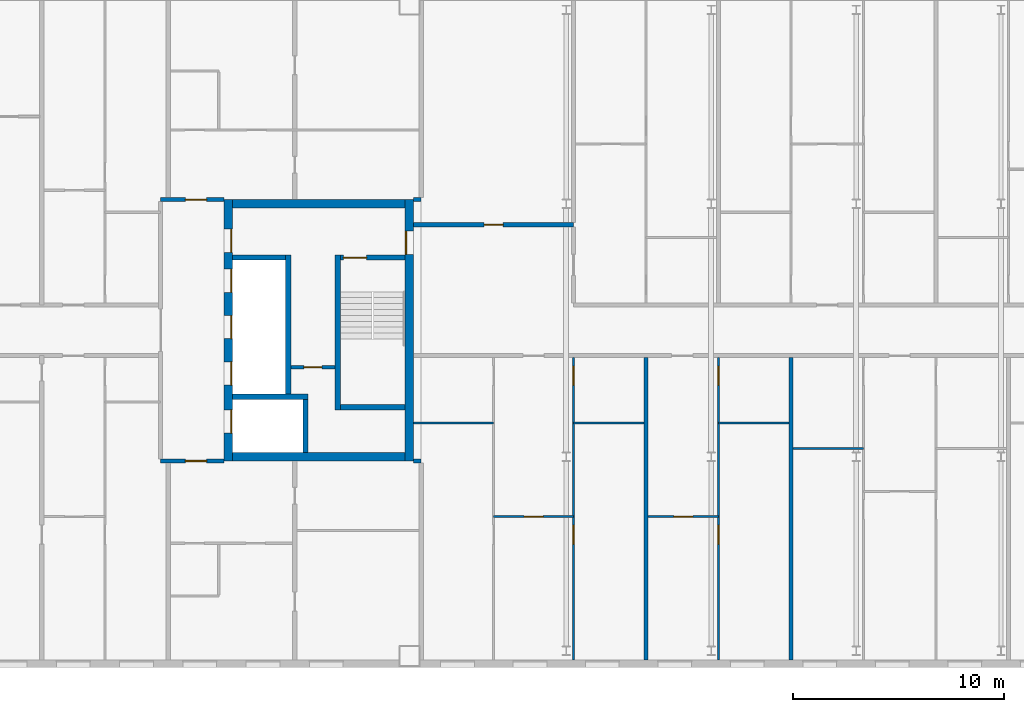
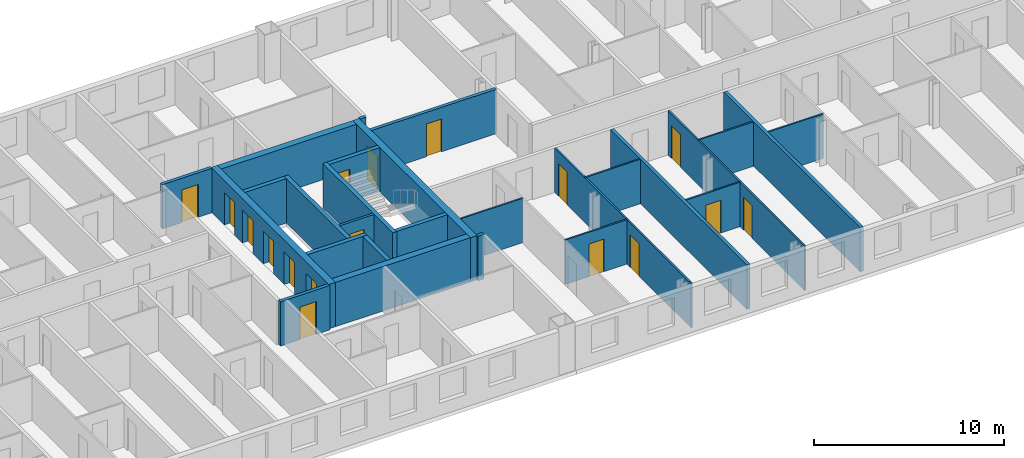
# One storey, part 8 of 19: 27 walls, 17 doors, 17 openings.
"""IFC4 building model written with IfcOpenShell, lengths in metres."""

from ifc_helpers import new_model, si_unit, direction, frame, frame_2d, origin, place, context, subcontext, project, spatial, rectangle, extrude, material, layer, layer_set, type_object, element, fill, save


model = new_model("IFC4")

# Units and contexts
model_context = context("Model", 3, precision=1e-05, world=origin(), true_north=direction((0.0, 1.0)))
body_context = subcontext(model_context, "Body", "Model", "MODEL_VIEW")
ifc_project = project(units=[si_unit("LENGTHUNIT", "METRE"), si_unit("AREAUNIT", "SQUARE_METRE"), si_unit("VOLUMEUNIT", "CUBIC_METRE"), si_unit("PLANEANGLEUNIT", "RADIAN"), si_unit("MASSUNIT", "GRAM", prefix="KILO")], contexts=[model_context])

# Site, building, storey
site_placement = place(None, origin())
site = spatial("IfcSite", under=ifc_project, at=site_placement, CompositionType="ELEMENT")
building_placement = place(site_placement, origin())
building = spatial("IfcBuilding", under=site, at=building_placement, Name="Tuart Gate Housing", CompositionType="ELEMENT")
storey_placement = place(building_placement, frame((0.0, 0.0, 233.800048828125)))
storey = spatial("IfcBuildingStorey", under=building, at=storey_placement, Name="L66", CompositionType="ELEMENT", Elevation=233.800048828125)

# Wall, opening, door
ifc_material_1 = material(Name="Plasterboard partition")
ifc_layer_1 = layer(ifc_material_1, 0.14990234375)
ifc_layer_set_1 = layer_set([ifc_layer_1], Name="Core partition 150")
wall_type_1 = type_object("IfcWallType", Name="Core partition 150", PredefinedType="PARTITIONING", material=ifc_layer_set_1)
wall_1_placement = place(storey_placement, frame((69.81494140625, 68.25, 0.0), z_axis=(0.0, 0.0, 1.0), x_axis=(1.0, 0.0, 0.0)))
wall_1 = element("IfcWall", 1, at=wall_1_placement, inside=storey, type_object=wall_type_1, Name="Core partition AG.3", PredefinedType="PARTITIONING", context=body_context, shape_type="SweptSolid", body=[
    extrude(rectangle(XDim=2.10009765625, YDim=0.14990234375, at=frame_2d((1.050048828125, 0.0))), origin(), (0.0, 0.0, 1.0), 2.849853515625),
])
opening_1_placement = place(wall_1_placement, frame((0.625, 0.0, 0.0)))
opening_1 = element("IfcOpeningElement", 2, at=opening_1_placement, cuts=wall_1, Name="Opening D2477", PredefinedType="OPENING", context=body_context, shape_type="SweptSolid", body=[
    extrude(rectangle(XDim=0.85009765625, YDim=2.10009765625, at=frame_2d((0.425048828125, 1.050048828125))), frame((0.0, 0.0849609375, 0.0), z_axis=(0.0, -1.0, 0.0), x_axis=(1.0, 0.0, 0.0)), (0.0, 0.0, 1.0), 0.169921875),
])
ifc_material_2 = material(Name="Steel fire door", Category="steel")
door_type_1 = type_object("IfcDoorType", Name="Riser door 850 x 2100 RH", OperationType="SINGLE_SWING_RIGHT", PredefinedType="DOOR", material=ifc_material_2)
door_1_placement = place(opening_1_placement, frame((0.85009765625, 0.0, 0.0), z_axis=(0.0, 0.0, 1.0), x_axis=(-1.0, 0.0, 0.0)))
door_1 = element("IfcDoor", 3, at=door_1_placement, inside=storey, type_object=door_type_1, Name="Service room door AG.E1", OperationType="SINGLE_SWING_RIGHT", OverallHeight=2.10009765625, OverallWidth=0.85009765625, PredefinedType="DOOR", context=body_context, shape_type="SweptSolid", body=[
    extrude(rectangle(XDim=0.85009765625, YDim=2.10009765625, at=frame_2d((0.425048828125, 1.050048828125))), frame((0.0, 0.025146484375, 0.0), z_axis=(0.0, -1.0, 0.0), x_axis=(1.0, 0.0, 0.0)), (0.0, 0.0, 1.0), 0.050048828125),
])
fill(opening_1, door_1)

# Walls
ifc_material_3 = material(Name="Concrete C40", Category="concrete")
ifc_layer_2 = layer(ifc_material_3, 0.25)
ifc_layer_set_2 = layer_set([ifc_layer_2], Name="Core wall 250 C40")
wall_type_2 = type_object("IfcWallType", Name="Core wall 250 C40", PredefinedType="SHEAR", material=ifc_layer_set_2)
wall_2_placement = place(storey_placement, frame((72.1650390625, 66.35009765625, 0.0), z_axis=(0.0, 0.0, 1.0), x_axis=(1.0, 0.0, 0.0)))
element("IfcWall", 4, at=wall_2_placement, inside=storey, type_object=wall_type_2, Name="Core wall AG.1", PredefinedType="SHEAR", context=body_context, shape_type="SweptSolid", body=[
    extrude(rectangle(XDim=3.074951171875, YDim=0.25, at=frame_2d((1.53759765625, 0.0))), origin(), (0.0, 0.0, 1.0), 2.849853515625),
])
wall_3_placement = place(storey_placement, frame((67.0400390625, 66.85009765625, 0.0), z_axis=(0.0, 0.0, 1.0), x_axis=(1.0, 0.0, 0.0)))
element("IfcWall", 5, at=wall_3_placement, inside=storey, type_object=wall_type_2, Name="Core wall AG.2", PredefinedType="SHEAR", context=body_context, shape_type="SweptSolid", body=[
    extrude(rectangle(XDim=3.594970703125, YDim=0.25, at=frame_2d((1.79736328125, 0.0))), origin(), (0.0, 0.0, 1.0), 2.849853515625),
])
wall_4_placement = place(storey_placement, frame((67.0400390625, 73.449951171875, 0.0), z_axis=(0.0, 0.0, 1.0), x_axis=(1.0, 0.0, 0.0)))
element("IfcWall", 6, at=wall_4_placement, inside=storey, type_object=wall_type_2, Name="Core wall AG.4", PredefinedType="SHEAR", context=body_context, shape_type="SweptSolid", body=[
    extrude(rectangle(XDim=2.52490234375, YDim=0.25, at=frame_2d((1.262451171875, 0.0))), origin(), (0.0, 0.0, 1.0), 2.849853515625),
])

# Wall, opening, door
wall_5_placement = place(storey_placement, frame((72.1650390625, 73.449951171875, 0.0), z_axis=(0.0, 0.0, 1.0), x_axis=(1.0, 0.0, 0.0)))
wall_5 = element("IfcWall", 7, at=wall_5_placement, inside=storey, type_object=wall_type_2, Name="Core wall AG.5", PredefinedType="SHEAR", context=body_context, shape_type="SweptSolid", body=[
    extrude(rectangle(XDim=3.074951171875, YDim=0.25, at=frame_2d((1.53759765625, 0.0))), origin(), (0.0, 0.0, 1.0), 2.849853515625),
])
opening_2_placement = place(wall_5_placement, frame((0.14990234375, 0.0, 0.0)))
opening_2 = element("IfcOpeningElement", 8, at=opening_2_placement, cuts=wall_5, Name="Opening D2463", PredefinedType="OPENING", context=body_context, shape_type="SweptSolid", body=[
    extrude(rectangle(XDim=1.10009765625, YDim=2.10009765625, at=frame_2d((0.550048828125, 1.050048828125))), frame((0.0, 0.135009765625, 0.0), z_axis=(0.0, -1.0, 0.0), x_axis=(1.0, 0.0, 0.0)), (0.0, 0.0, 1.0), 0.27001953125),
])
ifc_material_4 = material(Name="Steel fire door", Category="steel")
door_type_2 = type_object("IfcDoorType", Name="Stair door 1100 x 2100 RH", OperationType="SINGLE_SWING_RIGHT", PredefinedType="DOOR", material=ifc_material_4)
door_2_placement = place(opening_2_placement, frame((1.10009765625, 0.0, 0.0), z_axis=(0.0, 0.0, 1.0), x_axis=(-1.0, 0.0, 0.0)))
door_2 = element("IfcDoor", 9, at=door_2_placement, inside=storey, type_object=door_type_2, Name="Stair door AG.SD", OperationType="SINGLE_SWING_RIGHT", OverallHeight=2.10009765625, OverallWidth=1.10009765625, PredefinedType="DOOR", context=body_context, shape_type="SweptSolid", body=[
    extrude(rectangle(XDim=1.10009765625, YDim=2.10009765625, at=frame_2d((0.550048828125, 1.050048828125))), frame((0.0, 0.025146484375, 0.0), z_axis=(0.0, -1.0, 0.0), x_axis=(1.0, 0.0, 0.0)), (0.0, 0.0, 1.0), 0.050048828125),
])
fill(opening_2, door_2)

# Walls
wall_6_placement = place(storey_placement, frame((69.68994140625, 66.97509765625, 0.0), z_axis=(0.0, 0.0, 1.0), x_axis=(0.0, 1.0, 0.0)))
element("IfcWall", 10, at=wall_6_placement, inside=storey, type_object=wall_type_2, Name="Core wall AG.6", PredefinedType="SHEAR", context=body_context, shape_type="SweptSolid", body=[
    extrude(rectangle(XDim=6.599853515625, YDim=0.25, at=frame_2d((3.2998046875, 0.0))), origin(), (0.0, 0.0, 1.0), 2.849853515625),
])
wall_7_placement = place(storey_placement, frame((70.510009765625, 64.199951171875, 0.0), z_axis=(0.0, 0.0, 1.0), x_axis=(0.0, 1.0, 0.0)))
element("IfcWall", 11, at=wall_7_placement, inside=storey, type_object=wall_type_2, Name="Core wall AG.7", PredefinedType="SHEAR", context=body_context, shape_type="SweptSolid", body=[
    extrude(rectangle(XDim=2.525146484375, YDim=0.25, at=frame_2d((1.2626953125, 0.0))), origin(), (0.0, 0.0, 1.0), 2.849853515625),
])
wall_8_placement = place(storey_placement, frame((72.0400390625, 66.22509765625, 0.0), z_axis=(0.0, 0.0, 1.0), x_axis=(0.0, 1.0, 0.0)))
element("IfcWall", 12, at=wall_8_placement, inside=storey, type_object=wall_type_2, Name="Core wall AG.8", PredefinedType="SHEAR", context=body_context, shape_type="SweptSolid", body=[
    extrude(rectangle(XDim=7.349853515625, YDim=0.25, at=frame_2d((3.6748046875, 0.0))), origin(), (0.0, 0.0, 1.0), 2.849853515625),
])

# Wall, openings, doors
ifc_material_5 = material(Name="Concrete C40", Category="concrete")
ifc_layer_3 = layer(ifc_material_5, 0.39990234375)
ifc_layer_set_3 = layer_set([ifc_layer_3], Name="Core wall 400 C40")
wall_type_3 = type_object("IfcWallType", Name="Core wall 400 C40", PredefinedType="SHEAR", material=ifc_layer_set_3)
wall_9_placement = place(storey_placement, frame((66.840087890625, 63.800048828125, 0.0), z_axis=(0.0, 0.0, 1.0), x_axis=(0.0, 1.0, 0.0)))
wall_9 = element("IfcWall", 13, at=wall_9_placement, inside=storey, type_object=wall_type_3, Name="Core wall AG front", PredefinedType="SHEAR", context=body_context, shape_type="SweptSolid", body=[
    extrude(rectangle(XDim=12.39990234375, YDim=0.39990234375, at=frame_2d((6.199951171875, 0.0))), origin(), (0.0, 0.0, 1.0), 2.849853515625),
])
opening_3_placement = place(wall_9_placement, frame((1.324951171875, 0.0, 0.0)))
opening_3 = element("IfcOpeningElement", 14, at=opening_3_placement, cuts=wall_9, Name="Opening LD-FA1", PredefinedType="OPENING", context=body_context, shape_type="SweptSolid", body=[
    extrude(rectangle(XDim=1.10009765625, YDim=2.10009765625, at=frame_2d((0.550048828125, 1.050048828125))), frame((0.0, 0.2099609375, 0.0), z_axis=(0.0, -1.0, 0.0), x_axis=(1.0, 0.0, 0.0)), (0.0, 0.0, 1.0), 0.419921875),
])
opening_4_placement = place(wall_9_placement, frame((3.60009765625, 0.0, 0.0)))
opening_4 = element("IfcOpeningElement", 15, at=opening_4_placement, cuts=wall_9, Name="Opening LD-LA1", PredefinedType="OPENING", context=body_context, shape_type="SweptSolid", body=[
    extrude(rectangle(XDim=1.10009765625, YDim=2.10009765625, at=frame_2d((0.550048828125, 1.050048828125))), frame((0.0, 0.2099609375, 0.0), z_axis=(0.0, -1.0, 0.0), x_axis=(1.0, 0.0, 0.0)), (0.0, 0.0, 1.0), 0.419921875),
])
opening_5_placement = place(wall_9_placement, frame((5.800048828125, 0.0, 0.0)))
opening_5 = element("IfcOpeningElement", 16, at=opening_5_placement, cuts=wall_9, Name="Opening LD-LA2", PredefinedType="OPENING", context=body_context, shape_type="SweptSolid", body=[
    extrude(rectangle(XDim=1.10009765625, YDim=2.10009765625, at=frame_2d((0.550048828125, 1.050048828125))), frame((0.0, 0.2099609375, 0.0), z_axis=(0.0, -1.0, 0.0), x_axis=(1.0, 0.0, 0.0)), (0.0, 0.0, 1.0), 0.419921875),
])
opening_6_placement = place(wall_9_placement, frame((8.0, 0.0, 0.0)))
opening_6 = element("IfcOpeningElement", 17, at=opening_6_placement, cuts=wall_9, Name="Opening LD-LA3", PredefinedType="OPENING", context=body_context, shape_type="SweptSolid", body=[
    extrude(rectangle(XDim=1.10009765625, YDim=2.10009765625, at=frame_2d((0.550048828125, 1.050048828125))), frame((0.0, 0.2099609375, 0.0), z_axis=(0.0, -1.0, 0.0), x_axis=(1.0, 0.0, 0.0)), (0.0, 0.0, 1.0), 0.419921875),
])
opening_7_placement = place(wall_9_placement, frame((9.89990234375, 0.0, 0.0)))
opening_7 = element("IfcOpeningElement", 18, at=opening_7_placement, cuts=wall_9, Name="Opening D2473", PredefinedType="OPENING", context=body_context, shape_type="SweptSolid", body=[
    extrude(rectangle(XDim=1.10009765625, YDim=2.10009765625, at=frame_2d((0.550048828125, 1.050048828125))), frame((0.0, 0.2099609375, 0.0), z_axis=(0.0, -1.0, 0.0), x_axis=(1.0, 0.0, 0.0)), (0.0, 0.0, 1.0), 0.419921875),
])
ifc_material_6 = material(Name="Stainless steel", Category="steel")
door_type_3 = type_object("IfcDoorType", Name="Landing door 1100 x 2100", OperationType="DOUBLE_DOOR_SLIDING", PredefinedType="DOOR", material=ifc_material_6)
door_3_placement = place(opening_3_placement, origin())
door_3 = element("IfcDoor", 19, at=door_3_placement, inside=storey, type_object=door_type_3, Name="Lift landing door FA1", OperationType="DOUBLE_DOOR_SLIDING", OverallHeight=2.10009765625, OverallWidth=1.10009765625, PredefinedType="DOOR", context=body_context, shape_type="SweptSolid", body=[
    extrude(rectangle(XDim=1.10009765625, YDim=2.10009765625, at=frame_2d((0.550048828125, 1.050048828125))), frame((0.0, -0.134765625, 0.0), z_axis=(0.0, -1.0, 0.0), x_axis=(1.0, 0.0, 0.0)), (0.0, 0.0, 1.0), 0.050048828125),
])
fill(opening_3, door_3)
door_4_placement = place(opening_4_placement, origin())
door_4 = element("IfcDoor", 20, at=door_4_placement, inside=storey, type_object=door_type_3, Name="Lift landing door LA1", OperationType="DOUBLE_DOOR_SLIDING", OverallHeight=2.10009765625, OverallWidth=1.10009765625, PredefinedType="DOOR", context=body_context, shape_type="SweptSolid", body=[
    extrude(rectangle(XDim=1.10009765625, YDim=2.10009765625, at=frame_2d((0.550048828125, 1.050048828125))), frame((0.0, -0.134765625, 0.0), z_axis=(0.0, -1.0, 0.0), x_axis=(1.0, 0.0, 0.0)), (0.0, 0.0, 1.0), 0.050048828125),
])
fill(opening_4, door_4)
door_5_placement = place(opening_5_placement, origin())
door_5 = element("IfcDoor", 21, at=door_5_placement, inside=storey, type_object=door_type_3, Name="Lift landing door LA2", OperationType="DOUBLE_DOOR_SLIDING", OverallHeight=2.10009765625, OverallWidth=1.10009765625, PredefinedType="DOOR", context=body_context, shape_type="SweptSolid", body=[
    extrude(rectangle(XDim=1.10009765625, YDim=2.10009765625, at=frame_2d((0.550048828125, 1.050048828125))), frame((0.0, -0.134765625, 0.0), z_axis=(0.0, -1.0, 0.0), x_axis=(1.0, 0.0, 0.0)), (0.0, 0.0, 1.0), 0.050048828125),
])
fill(opening_5, door_5)
door_6_placement = place(opening_6_placement, origin())
door_6 = element("IfcDoor", 22, at=door_6_placement, inside=storey, type_object=door_type_3, Name="Lift landing door LA3", OperationType="DOUBLE_DOOR_SLIDING", OverallHeight=2.10009765625, OverallWidth=1.10009765625, PredefinedType="DOOR", context=body_context, shape_type="SweptSolid", body=[
    extrude(rectangle(XDim=1.10009765625, YDim=2.10009765625, at=frame_2d((0.550048828125, 1.050048828125))), frame((0.0, -0.134765625, 0.0), z_axis=(0.0, -1.0, 0.0), x_axis=(1.0, 0.0, 0.0)), (0.0, 0.0, 1.0), 0.050048828125),
])
fill(opening_6, door_6)
ifc_material_7 = material(Name="Steel fire door", Category="steel")
door_type_4 = type_object("IfcDoorType", Name="Lobby door 1100 x 2100 RH", OperationType="SINGLE_SWING_RIGHT", PredefinedType="DOOR", material=ifc_material_7)
door_7_placement = place(opening_7_placement, frame((1.10009765625, 0.0, 0.0), z_axis=(0.0, 0.0, 1.0), x_axis=(-1.0, 0.0, 0.0)))
door_7 = element("IfcDoor", 23, at=door_7_placement, inside=storey, type_object=door_type_4, Name="Lobby entry door AG.EN", OperationType="SINGLE_SWING_RIGHT", OverallHeight=2.10009765625, OverallWidth=1.10009765625, PredefinedType="DOOR", context=body_context, shape_type="SweptSolid", body=[
    extrude(rectangle(XDim=1.10009765625, YDim=2.10009765625, at=frame_2d((0.550048828125, 1.050048828125))), frame((0.0, 0.184814453125, 0.0), z_axis=(0.0, -1.0, 0.0), x_axis=(1.0, 0.0, 0.0)), (0.0, 0.0, 1.0), 0.050048828125),
])
fill(opening_7, door_7)

# Wall, opening, door
wall_10_placement = place(storey_placement, frame((75.43994140625, 63.800048828125, 0.0), z_axis=(0.0, 0.0, 1.0), x_axis=(0.0, 1.0, 0.0)))
wall_10 = element("IfcWall", 24, at=wall_10_placement, inside=storey, type_object=wall_type_3, Name="Core wall AG back", PredefinedType="SHEAR", context=body_context, shape_type="SweptSolid", body=[
    extrude(rectangle(XDim=12.39990234375, YDim=0.39990234375, at=frame_2d((6.199951171875, 0.0))), origin(), (0.0, 0.0, 1.0), 2.849853515625),
])
opening_8_placement = place(wall_10_placement, frame((9.800048828125, 0.0, 0.0)))
opening_8 = element("IfcOpeningElement", 25, at=opening_8_placement, cuts=wall_10, Name="Opening D2474", PredefinedType="OPENING", context=body_context, shape_type="SweptSolid", body=[
    extrude(rectangle(XDim=1.10009765625, YDim=2.10009765625, at=frame_2d((0.550048828125, 1.050048828125))), frame((0.0, 0.2099609375, 0.0), z_axis=(0.0, -1.0, 0.0), x_axis=(1.0, 0.0, 0.0)), (0.0, 0.0, 1.0), 0.419921875),
])
ifc_material_8 = material(Name="Steel fire door", Category="steel")
door_type_5 = type_object("IfcDoorType", Name="Lobby door 1100 x 2100", OperationType="SINGLE_SWING_LEFT", PredefinedType="DOOR", material=ifc_material_8)
door_8_placement = place(opening_8_placement, origin())
door_8 = element("IfcDoor", 26, at=door_8_placement, inside=storey, type_object=door_type_5, Name="Link door AG.LK", OperationType="SINGLE_SWING_LEFT", OverallHeight=2.10009765625, OverallWidth=1.10009765625, PredefinedType="DOOR", context=body_context, shape_type="SweptSolid", body=[
    extrude(rectangle(XDim=1.10009765625, YDim=2.10009765625, at=frame_2d((0.550048828125, 1.050048828125))), frame((0.0, 0.18505859375, 0.0), z_axis=(0.0, -1.0, 0.0), x_axis=(1.0, 0.0, 0.0)), (0.0, 0.0, 1.0), 0.050048828125),
])
fill(opening_8, door_8)

# Walls
for number, where, z_axis, x_axis, name in (
    (27, (67.0400390625, 64.0, 0.0), (0.0, 0.0, 1.0), (1.0, 0.0, 0.0), "Core wall AG south"),
    (28, (67.0400390625, 76.0, 0.0), (0.0, 0.0, 1.0), (1.0, 0.0, 0.0), "Core wall AG north"),
):
    element("IfcWall", number, at=place(storey_placement, frame(where, z_axis=z_axis, x_axis=x_axis)), inside=storey, type_object=wall_type_3, Name=name, PredefinedType="SHEAR", context=body_context, shape_type="SweptSolid", body=[
        extrude(rectangle(XDim=8.199951171875, YDim=0.39990234375, at=frame_2d((4.10009765625, 0.0))), origin(), (0.0, 0.0, 1.0), 2.849853515625),
    ])

# Wall, opening, door
ifc_material_9 = material(Name="Concrete masonry 15 MPa", Category="masonry")
ifc_layer_4 = layer(ifc_material_9, 0.199951171875)
ifc_layer_set_4 = layer_set([ifc_layer_4], Name="Corridor wall masonry 200")
wall_type_4 = type_object("IfcWallType", Name="Corridor wall masonry 200", PredefinedType="PARTITIONING", material=ifc_layer_set_4)
wall_11_placement = place(storey_placement, frame((75.639892578125, 75.0, 0.0), z_axis=(0.0, 0.0, 1.0), x_axis=(1.0, 0.0, 0.0)))
wall_11 = element("IfcWall", 29, at=wall_11_placement, inside=storey, type_object=wall_type_4, Name="Corridor wall masonry 200", PredefinedType="PARTITIONING", context=body_context, shape_type="SweptSolid", body=[
    extrude(rectangle(XDim=7.585205078125, YDim=0.199951171875, at=frame_2d((3.79248046875, 0.0))), origin(), (0.0, 0.0, 1.0), 2.849853515625),
])
opening_9_placement = place(wall_11_placement, frame((3.342529296875, 0.0, 0.0)))
opening_9 = element("IfcOpeningElement", 30, at=opening_9_placement, cuts=wall_11, Name="Opening D2518", PredefinedType="OPENING", context=body_context, shape_type="SweptSolid", body=[
    extrude(rectangle(XDim=0.89990234375, YDim=2.10009765625, at=frame_2d((0.449951171875, 1.050048828125))), frame((0.0, 0.10986328125, 0.0), z_axis=(0.0, -1.0, 0.0), x_axis=(1.0, 0.0, 0.0)), (0.0, 0.0, 1.0), 0.219970703125),
])
ifc_material_10 = material(Name="Timber door leaf in steel frame", Category="steel")
door_type_6 = type_object("IfcDoorType", Name="Internal door 900", OperationType="SINGLE_SWING_LEFT", PredefinedType="DOOR", material=ifc_material_10)
door_9_placement = place(opening_9_placement, origin())
door_9 = element("IfcDoor", 31, at=door_9_placement, inside=storey, type_object=door_type_6, Name="Internal door", OperationType="SINGLE_SWING_LEFT", OverallHeight=2.10009765625, OverallWidth=0.89990234375, PredefinedType="DOOR", context=body_context, shape_type="SweptSolid", body=[
    extrude(rectangle(XDim=0.89990234375, YDim=2.10009765625, at=frame_2d((0.449951171875, 1.050048828125))), frame((0.0, 0.02490234375, 0.0), z_axis=(0.0, -1.0, 0.0), x_axis=(1.0, 0.0, 0.0)), (0.0, 0.0, 1.0), 0.050048828125),
])
fill(opening_9, door_9)

ifc_material_11 = material(Name="Concrete masonry 15 MPa", Category="masonry")
ifc_layer_5 = layer(ifc_material_11, 0.199951171875)
ifc_layer_set_5 = layer_set([ifc_layer_5], Name="Enclosure wall masonry 200")
wall_type_5 = type_object("IfcWallType", Name="Enclosure wall masonry 200", PredefinedType="PARTITIONING", material=ifc_layer_set_5)
wall_12_placement = place(storey_placement, frame((63.639892578125, 63.800048828125, 0.0), z_axis=(0.0, 0.0, 1.0), x_axis=(1.0, 0.0, 0.0)))
wall_12 = element("IfcWall", 32, at=wall_12_placement, inside=storey, type_object=wall_type_5, Name="Enclosure wall masonry 200", PredefinedType="PARTITIONING", context=body_context, shape_type="SweptSolid", body=[
    extrude(rectangle(XDim=3.0, YDim=0.199951171875, at=frame_2d((1.5, 0.0))), origin(), (0.0, 0.0, 1.0), 2.849853515625),
])
opening_10_placement = place(wall_12_placement, frame((1.179931640625, 0.0, 0.0)))
opening_10 = element("IfcOpeningElement", 33, at=opening_10_placement, cuts=wall_12, Name="Opening D2480", PredefinedType="OPENING", context=body_context, shape_type="SweptSolid", body=[
    extrude(rectangle(XDim=1.0, YDim=2.10009765625, at=frame_2d((0.5, 1.050048828125))), frame((0.0, 0.10986328125, 0.0), z_axis=(0.0, -1.0, 0.0), x_axis=(1.0, 0.0, 0.0)), (0.0, 0.0, 1.0), 0.219970703125),
])
ifc_material_12 = material(Name="Timber door leaf in steel frame", Category="steel")
door_type_7 = type_object("IfcDoorType", Name="Flat entrance door 1000 RH", OperationType="SINGLE_SWING_RIGHT", PredefinedType="DOOR", material=ifc_material_12)
door_10_placement = place(opening_10_placement, frame((1.0, 0.0, 0.0), z_axis=(0.0, 0.0, 1.0), x_axis=(-1.0, 0.0, 0.0)))
door_10 = element("IfcDoor", 34, at=door_10_placement, inside=storey, type_object=door_type_7, Name="Flat entrance door", OperationType="SINGLE_SWING_RIGHT", OverallHeight=2.10009765625, OverallWidth=1.0, PredefinedType="DOOR", context=body_context, shape_type="SweptSolid", body=[
    extrude(rectangle(XDim=1.0, YDim=2.10009765625, at=frame_2d((0.5, 1.050048828125))), frame((0.0, 0.025146484375, 0.0), z_axis=(0.0, -1.0, 0.0), x_axis=(1.0, 0.0, 0.0)), (0.0, 0.0, 1.0), 0.050048828125),
])
fill(opening_10, door_10)

wall_13_placement = place(storey_placement, frame((63.639892578125, 76.199951171875, 0.0), z_axis=(0.0, 0.0, 1.0), x_axis=(1.0, 0.0, 0.0)))
wall_13 = element("IfcWall", 35, at=wall_13_placement, inside=storey, type_object=wall_type_5, Name="Enclosure wall masonry 200", PredefinedType="PARTITIONING", context=body_context, shape_type="SweptSolid", body=[
    extrude(rectangle(XDim=3.0, YDim=0.199951171875, at=frame_2d((1.5, 0.0))), origin(), (0.0, 0.0, 1.0), 2.849853515625),
])
opening_11_placement = place(wall_13_placement, frame((1.179931640625, 0.0, 0.0)))
opening_11 = element("IfcOpeningElement", 36, at=opening_11_placement, cuts=wall_13, Name="Opening D2461", PredefinedType="OPENING", context=body_context, shape_type="SweptSolid", body=[
    extrude(rectangle(XDim=1.0, YDim=2.10009765625, at=frame_2d((0.5, 1.050048828125))), frame((0.0, 0.10986328125, 0.0), z_axis=(0.0, -1.0, 0.0), x_axis=(1.0, 0.0, 0.0)), (0.0, 0.0, 1.0), 0.219970703125),
])
ifc_material_13 = material(Name="Timber door leaf in steel frame", Category="steel")
door_type_8 = type_object("IfcDoorType", Name="Flat entrance door 1000", OperationType="SINGLE_SWING_LEFT", PredefinedType="DOOR", material=ifc_material_13)
door_11_placement = place(opening_11_placement, origin())
door_11 = element("IfcDoor", 37, at=door_11_placement, inside=storey, type_object=door_type_8, Name="Flat entrance door", OperationType="SINGLE_SWING_LEFT", OverallHeight=2.10009765625, OverallWidth=1.0, PredefinedType="DOOR", context=body_context, shape_type="SweptSolid", body=[
    extrude(rectangle(XDim=1.0, YDim=2.10009765625, at=frame_2d((0.5, 1.050048828125))), frame((0.0, 0.02490234375, 0.0), z_axis=(0.0, -1.0, 0.0), x_axis=(1.0, 0.0, 0.0)), (0.0, 0.0, 1.0), 0.050048828125),
])
fill(opening_11, door_11)

ifc_material_14 = material(Name="Gypsum board on steel studs", Category="steel")
ifc_layer_6 = layer(ifc_material_14, 0.10009765625)
ifc_layer_set_6 = layer_set([ifc_layer_6], Name="Partition 100")
wall_type_6 = type_object("IfcWallType", Name="Partition 100", PredefinedType="PARTITIONING", material=ifc_layer_set_6)
wall_14_placement = place(storey_placement, frame((79.43798828125, 61.159912109375, 0.0), z_axis=(0.0, 0.0, 1.0), x_axis=(1.0, 0.0, 0.0)))
wall_14 = element("IfcWall", 38, at=wall_14_placement, inside=storey, type_object=wall_type_6, Name="Partition 100", PredefinedType="PARTITIONING", context=body_context, shape_type="SweptSolid", body=[
    extrude(rectangle(XDim=3.787109375, YDim=0.10009765625, at=frame_2d((1.8935546875, 0.0))), origin(), (0.0, 0.0, 1.0), 2.849853515625),
])
opening_12_placement = place(wall_14_placement, frame((1.443603515625, 0.0, 0.0)))
opening_12 = element("IfcOpeningElement", 39, at=opening_12_placement, cuts=wall_14, Name="Opening D2554", PredefinedType="OPENING", context=body_context, shape_type="SweptSolid", body=[
    extrude(rectangle(XDim=0.89990234375, YDim=2.10009765625, at=frame_2d((0.449951171875, 1.050048828125))), frame((0.0, 0.06005859375, 0.0), z_axis=(0.0, -1.0, 0.0), x_axis=(1.0, 0.0, 0.0)), (0.0, 0.0, 1.0), 0.1201171875),
])
door_12_placement = place(opening_12_placement, origin())
door_12 = element("IfcDoor", 40, at=door_12_placement, inside=storey, type_object=door_type_6, Name="Internal door", OperationType="SINGLE_SWING_LEFT", OverallHeight=2.10009765625, OverallWidth=0.89990234375, PredefinedType="DOOR", context=body_context, shape_type="SweptSolid", body=[
    extrude(rectangle(XDim=0.89990234375, YDim=2.10009765625, at=frame_2d((0.449951171875, 1.050048828125))), frame((0.0, 0.02490234375, 0.0), z_axis=(0.0, -1.0, 0.0), x_axis=(1.0, 0.0, 0.0)), (0.0, 0.0, 1.0), 0.050048828125),
])
fill(opening_12, door_12)

wall_15_placement = place(storey_placement, frame((86.761962890625, 61.159912109375, 0.0), z_axis=(0.0, 0.0, 1.0), x_axis=(1.0, 0.0, 0.0)))
wall_15 = element("IfcWall", 41, at=wall_15_placement, inside=storey, type_object=wall_type_6, Name="Partition 100", PredefinedType="PARTITIONING", context=body_context, shape_type="SweptSolid", body=[
    extrude(rectangle(XDim=3.338134765625, YDim=0.10009765625, at=frame_2d((1.6689453125, 0.0))), origin(), (0.0, 0.0, 1.0), 2.849853515625),
])
opening_13_placement = place(wall_15_placement, frame((1.218994140625, 0.0, 0.0)))
opening_13 = element("IfcOpeningElement", 42, at=opening_13_placement, cuts=wall_15, Name="Opening D2555", PredefinedType="OPENING", context=body_context, shape_type="SweptSolid", body=[
    extrude(rectangle(XDim=0.89990234375, YDim=2.10009765625, at=frame_2d((0.449951171875, 1.050048828125))), frame((0.0, 0.06005859375, 0.0), z_axis=(0.0, -1.0, 0.0), x_axis=(1.0, 0.0, 0.0)), (0.0, 0.0, 1.0), 0.1201171875),
])
ifc_material_15 = material(Name="Timber door leaf in steel frame", Category="steel")
door_type_9 = type_object("IfcDoorType", Name="Internal door 900 RH", OperationType="SINGLE_SWING_RIGHT", PredefinedType="DOOR", material=ifc_material_15)
door_13_placement = place(opening_13_placement, origin())
door_13 = element("IfcDoor", 43, at=door_13_placement, inside=storey, type_object=door_type_9, Name="Internal door", OperationType="SINGLE_SWING_RIGHT", OverallHeight=2.10009765625, OverallWidth=0.89990234375, PredefinedType="DOOR", context=body_context, shape_type="SweptSolid", body=[
    extrude(rectangle(XDim=0.89990234375, YDim=2.10009765625, at=frame_2d((0.449951171875, 1.050048828125))), frame((0.0, 0.02490234375, 0.0), z_axis=(0.0, -1.0, 0.0), x_axis=(1.0, 0.0, 0.0)), (0.0, 0.0, 1.0), 0.050048828125),
])
fill(opening_13, door_13)

# Walls
wall_16_placement = place(storey_placement, frame((93.636962890625, 64.39990234375, 0.0), z_axis=(0.0, 0.0, 1.0), x_axis=(1.0, 0.0, 0.0)))
element("IfcWall", 44, at=wall_16_placement, inside=storey, type_object=wall_type_6, Name="Partition 100", PredefinedType="PARTITIONING", context=body_context, shape_type="SweptSolid", body=[
    extrude(rectangle(XDim=3.338134765625, YDim=0.10009765625, at=frame_2d((1.6689453125, 0.0))), origin(), (0.0, 0.0, 1.0), 2.849853515625),
])
wall_17_placement = place(storey_placement, frame((75.639892578125, 65.60009765625, 0.0), z_axis=(0.0, 0.0, 1.0), x_axis=(1.0, 0.0, 0.0)))
element("IfcWall", 45, at=wall_17_placement, inside=storey, type_object=wall_type_6, Name="Partition 100", PredefinedType="PARTITIONING", context=body_context, shape_type="SweptSolid", body=[
    extrude(rectangle(XDim=3.798095703125, YDim=0.10009765625, at=frame_2d((1.89892578125, 0.0))), origin(), (0.0, 0.0, 1.0), 2.849853515625),
])
for number, where, z_axis, x_axis, name in (
    (46, (83.22509765625, 65.60009765625, 0.0), (0.0, 0.0, 1.0), (1.0, 0.0, 0.0), "Partition 100"),
    (47, (90.10009765625, 65.60009765625, 0.0), (0.0, 0.0, 1.0), (1.0, 0.0, 0.0), "Partition 100"),
):
    element("IfcWall", number, at=place(storey_placement, frame(where, z_axis=z_axis, x_axis=x_axis)), inside=storey, type_object=wall_type_6, Name=name, PredefinedType="PARTITIONING", context=body_context, shape_type="SweptSolid", body=[
        extrude(rectangle(XDim=3.3369140625, YDim=0.10009765625, at=frame_2d((1.66845703125, 0.0))), origin(), (0.0, 0.0, 1.0), 2.849853515625),
    ])

# Wall, openings, doors
wall_18_placement = place(storey_placement, frame((83.22509765625, 54.360107421875, 0.0), z_axis=(0.0, 0.0, 1.0), x_axis=(0.0, 1.0, 0.0)))
wall_18 = element("IfcWall", 48, at=wall_18_placement, inside=storey, type_object=wall_type_6, Name="Partition 100", PredefinedType="PARTITIONING", context=body_context, shape_type="SweptSolid", body=[
    extrude(rectangle(XDim=14.33984375, YDim=0.10009765625, at=frame_2d((7.169921875, 0.0))), origin(), (0.0, 0.0, 1.0), 2.849853515625),
])
opening_14_placement = place(wall_18_placement, frame((5.5, 0.0, 0.0)))
opening_14 = element("IfcOpeningElement", 49, at=opening_14_placement, cuts=wall_18, Name="Opening D2539", PredefinedType="OPENING", context=body_context, shape_type="SweptSolid", body=[
    extrude(rectangle(XDim=0.89990234375, YDim=2.10009765625, at=frame_2d((0.449951171875, 1.050048828125))), frame((0.0, 0.06005859375, 0.0), z_axis=(0.0, -1.0, 0.0), x_axis=(1.0, 0.0, 0.0)), (0.0, 0.0, 1.0), 0.1201171875),
])
opening_15_placement = place(wall_18_placement, frame((13.0400390625, 0.0, 0.0)))
opening_15 = element("IfcOpeningElement", 50, at=opening_15_placement, cuts=wall_18, Name="Opening D2538", PredefinedType="OPENING", context=body_context, shape_type="SweptSolid", body=[
    extrude(rectangle(XDim=0.89990234375, YDim=2.10009765625, at=frame_2d((0.449951171875, 1.050048828125))), frame((0.0, 0.06005859375, 0.0), z_axis=(0.0, -1.0, 0.0), x_axis=(1.0, 0.0, 0.0)), (0.0, 0.0, 1.0), 0.1201171875),
])
ifc_material_16 = material(Name="Timber door leaf in steel frame", Category="steel")
door_type_10 = type_object("IfcDoorType", Name="Bathroom door 900", OperationType="SINGLE_SWING_LEFT", PredefinedType="DOOR", material=ifc_material_16)
door_14_placement = place(opening_15_placement, frame((0.89990234375, 0.0, 0.0), z_axis=(0.0, 0.0, 1.0), x_axis=(-1.0, 0.0, 0.0)))
door_14 = element("IfcDoor", 51, at=door_14_placement, inside=storey, type_object=door_type_10, Name="Bathroom door", OperationType="SINGLE_SWING_LEFT", OverallHeight=2.10009765625, OverallWidth=0.89990234375, PredefinedType="DOOR", context=body_context, shape_type="SweptSolid", body=[
    extrude(rectangle(XDim=0.89990234375, YDim=2.10009765625, at=frame_2d((0.449951171875, 1.050048828125))), frame((0.0, 0.025146484375, 0.0), z_axis=(0.0, -1.0, 0.0), x_axis=(1.0, 0.0, 0.0)), (0.0, 0.0, 1.0), 0.050048828125),
])
fill(opening_15, door_14)
door_15_placement = place(opening_14_placement, frame((0.89990234375, 0.0, 0.0), z_axis=(0.0, 0.0, 1.0), x_axis=(-1.0, 0.0, 0.0)))
door_15 = element("IfcDoor", 52, at=door_15_placement, inside=storey, type_object=door_type_6, Name="Internal door", OperationType="SINGLE_SWING_LEFT", OverallHeight=2.10009765625, OverallWidth=0.89990234375, PredefinedType="DOOR", context=body_context, shape_type="SweptSolid", body=[
    extrude(rectangle(XDim=0.89990234375, YDim=2.10009765625, at=frame_2d((0.449951171875, 1.050048828125))), frame((0.0, 0.025146484375, 0.0), z_axis=(0.0, -1.0, 0.0), x_axis=(1.0, 0.0, 0.0)), (0.0, 0.0, 1.0), 0.050048828125),
])
fill(opening_14, door_15)

wall_19_placement = place(storey_placement, frame((90.10009765625, 54.360107421875, 0.0), z_axis=(0.0, 0.0, 1.0), x_axis=(0.0, 1.0, 0.0)))
wall_19 = element("IfcWall", 53, at=wall_19_placement, inside=storey, type_object=wall_type_6, Name="Partition 100", PredefinedType="PARTITIONING", context=body_context, shape_type="SweptSolid", body=[
    extrude(rectangle(XDim=14.33984375, YDim=0.10009765625, at=frame_2d((7.169921875, 0.0))), origin(), (0.0, 0.0, 1.0), 2.849853515625),
])
opening_16_placement = place(wall_19_placement, frame((5.5, 0.0, 0.0)))
opening_16 = element("IfcOpeningElement", 54, at=opening_16_placement, cuts=wall_19, Name="Opening D2541", PredefinedType="OPENING", context=body_context, shape_type="SweptSolid", body=[
    extrude(rectangle(XDim=0.89990234375, YDim=2.10009765625, at=frame_2d((0.449951171875, 1.050048828125))), frame((0.0, 0.06005859375, 0.0), z_axis=(0.0, -1.0, 0.0), x_axis=(1.0, 0.0, 0.0)), (0.0, 0.0, 1.0), 0.1201171875),
])
opening_17_placement = place(wall_19_placement, frame((13.0400390625, 0.0, 0.0)))
opening_17 = element("IfcOpeningElement", 55, at=opening_17_placement, cuts=wall_19, Name="Opening D2540", PredefinedType="OPENING", context=body_context, shape_type="SweptSolid", body=[
    extrude(rectangle(XDim=0.89990234375, YDim=2.10009765625, at=frame_2d((0.449951171875, 1.050048828125))), frame((0.0, 0.06005859375, 0.0), z_axis=(0.0, -1.0, 0.0), x_axis=(1.0, 0.0, 0.0)), (0.0, 0.0, 1.0), 0.1201171875),
])
door_16_placement = place(opening_17_placement, frame((0.89990234375, 0.0, 0.0), z_axis=(0.0, 0.0, 1.0), x_axis=(-1.0, 0.0, 0.0)))
door_16 = element("IfcDoor", 56, at=door_16_placement, inside=storey, type_object=door_type_10, Name="Bathroom door", OperationType="SINGLE_SWING_LEFT", OverallHeight=2.10009765625, OverallWidth=0.89990234375, PredefinedType="DOOR", context=body_context, shape_type="SweptSolid", body=[
    extrude(rectangle(XDim=0.89990234375, YDim=2.10009765625, at=frame_2d((0.449951171875, 1.050048828125))), frame((0.0, 0.025146484375, 0.0), z_axis=(0.0, -1.0, 0.0), x_axis=(1.0, 0.0, 0.0)), (0.0, 0.0, 1.0), 0.050048828125),
])
fill(opening_17, door_16)
door_17_placement = place(opening_16_placement, frame((0.89990234375, 0.0, 0.0), z_axis=(0.0, 0.0, 1.0), x_axis=(-1.0, 0.0, 0.0)))
door_17 = element("IfcDoor", 57, at=door_17_placement, inside=storey, type_object=door_type_6, Name="Internal door", OperationType="SINGLE_SWING_LEFT", OverallHeight=2.10009765625, OverallWidth=0.89990234375, PredefinedType="DOOR", context=body_context, shape_type="SweptSolid", body=[
    extrude(rectangle(XDim=0.89990234375, YDim=2.10009765625, at=frame_2d((0.449951171875, 1.050048828125))), frame((0.0, 0.025146484375, 0.0), z_axis=(0.0, -1.0, 0.0), x_axis=(1.0, 0.0, 0.0)), (0.0, 0.0, 1.0), 0.050048828125),
])
fill(opening_16, door_17)

# Walls
ifc_material_17 = material(Name="Concrete masonry 15 MPa", Category="masonry")
ifc_layer_7 = layer(ifc_material_17, 0.199951171875)
ifc_layer_set_7 = layer_set([ifc_layer_7], Name="Party wall masonry 200")
wall_type_7 = type_object("IfcWallType", Name="Party wall masonry 200", PredefinedType="PARTITIONING", material=ifc_layer_set_7)
for number, where, z_axis, x_axis, name in (
    (58, (75.639892578125, 63.800048828125, 0.0), (0.0, 0.0, 1.0), (1.0, 0.0, 0.0), "Party wall masonry 200"),
    (59, (75.639892578125, 76.199951171875, 0.0), (0.0, 0.0, 1.0), (1.0, 0.0, 0.0), "Party wall masonry 200"),
):
    element("IfcWall", number, at=place(storey_placement, frame(where, z_axis=z_axis, x_axis=x_axis)), inside=storey, type_object=wall_type_7, Name=name, PredefinedType="PARTITIONING", context=body_context, shape_type="SweptSolid", body=[
        extrude(rectangle(XDim=0.360107421875, YDim=0.199951171875, at=frame_2d((0.18017578125, 0.0))), origin(), (0.0, 0.0, 1.0), 2.849853515625),
    ])
for number, where, z_axis, x_axis, name in (
    (60, (86.662109375, 54.360107421875, 0.0), (0.0, 0.0, 1.0), (0.0, 1.0, 0.0), "Party wall masonry 200"),
    (61, (93.537109375, 54.360107421875, 0.0), (0.0, 0.0, 1.0), (0.0, 1.0, 0.0), "Party wall masonry 200"),
):
    element("IfcWall", number, at=place(storey_placement, frame(where, z_axis=z_axis, x_axis=x_axis)), inside=storey, type_object=wall_type_7, Name=name, PredefinedType="PARTITIONING", context=body_context, shape_type="SweptSolid", body=[
        extrude(rectangle(XDim=14.33984375, YDim=0.199951171875, at=frame_2d((7.169921875, 0.0))), origin(), (0.0, 0.0, 1.0), 2.849853515625),
    ])

save(model, "model.ifc")
